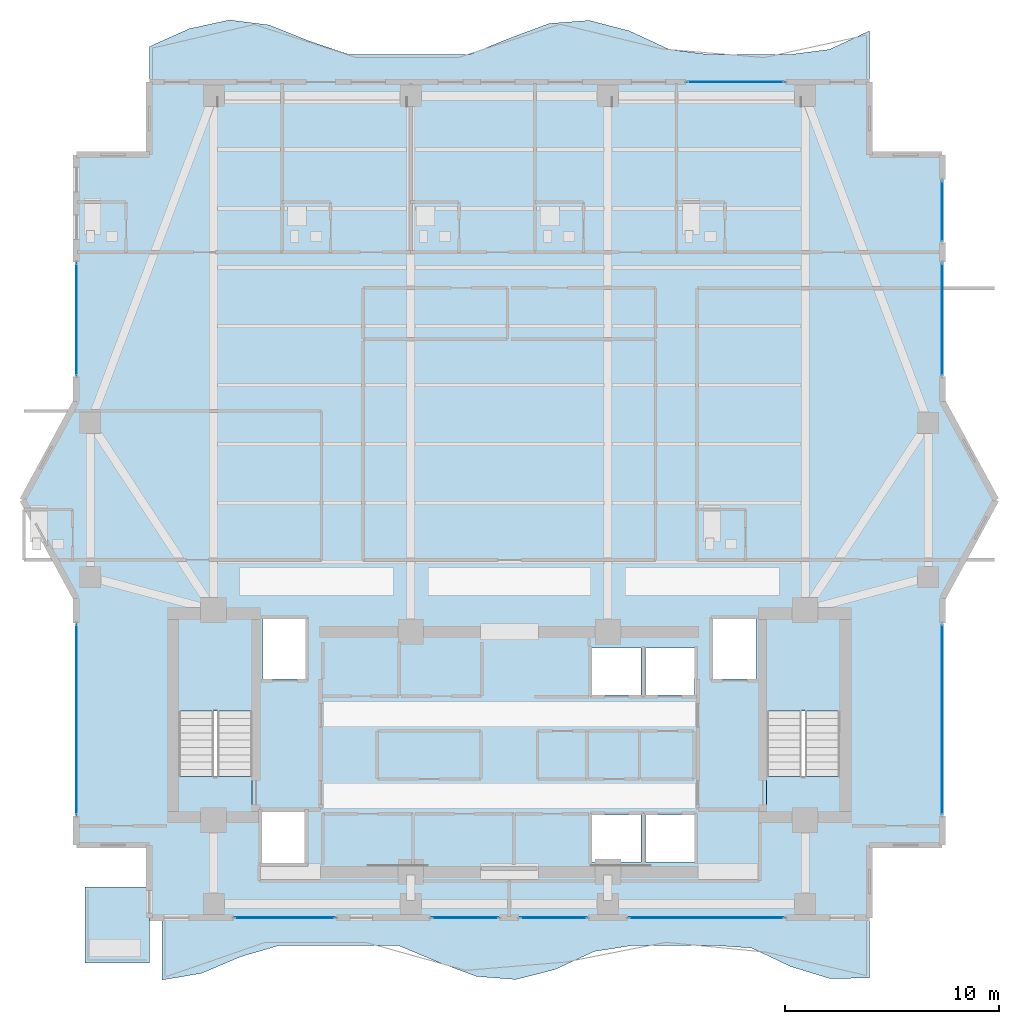
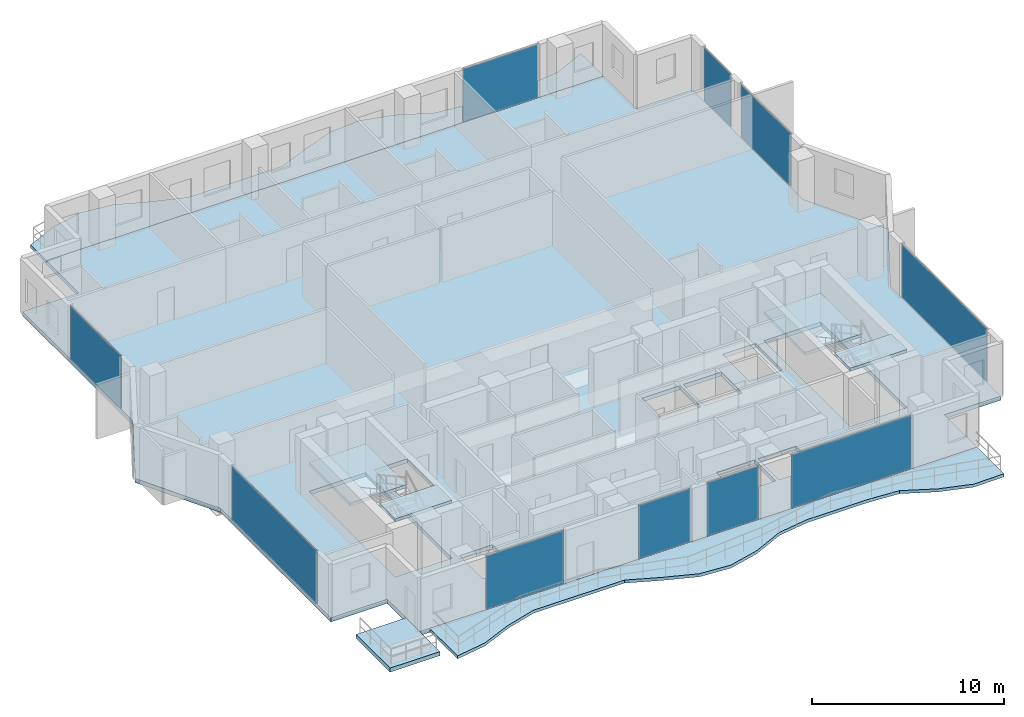
# One storey, part 18 of 28: 10 plates, 8 slabs, 12 elements without a shape of their own.
"""IFC4 building model written with IfcOpenShell, lengths in metres."""

from ifc_helpers import new_model, si_unit, direction, frame, origin, origin_2d, place, context, subcontext, project, spatial, polyline, rectangle, outline, extrude, material, layer, layer_set, type_object, element, aggregate, save


model = new_model("IFC4")

# Units and contexts
model_context = context("Model", 3, precision=1e-05, world=origin(), true_north=direction((0.0, 1.0)))
body_context = subcontext(model_context, "Body", "Model", "MODEL_VIEW")
ifc_project = project(units=[si_unit("LENGTHUNIT", "METRE"), si_unit("AREAUNIT", "SQUARE_METRE"), si_unit("VOLUMEUNIT", "CUBIC_METRE"), si_unit("PLANEANGLEUNIT", "RADIAN"), si_unit("MASSUNIT", "GRAM", prefix="KILO")], contexts=[model_context])

# Site, building, storey
site_placement = place(None, origin())
site = spatial("IfcSite", under=ifc_project, at=site_placement, CompositionType="ELEMENT")
building_placement = place(site_placement, origin())
building = spatial("IfcBuilding", under=site, at=building_placement, Name="Zuhayl Quay Hotel", CompositionType="ELEMENT")
storey_placement = place(building_placement, frame((0.0, 0.0, 239.64990234375)))
storey = spatial("IfcBuildingStorey", under=building, at=storey_placement, Name="L60", CompositionType="ELEMENT", Elevation=239.64990234375)

# Curtain wall, plate
ifc_material_1 = material(Name="Anodised Aluminium 6063-T6", Category="aluminium")
ifc_layer_1 = layer(ifc_material_1, 0.169921875, Name="Anodised Aluminium 6063-T6", Category="aluminium")
ifc_layer_set_1 = layer_set([ifc_layer_1], Name="Anodised Aluminium 6063-T6")
curtain_wall_type = type_object("IfcCurtainWallType", Name="CW_SYS_Z4", PredefinedType="USERDEFINED", material=ifc_layer_set_1)
curtain_wall_1_placement = place(storey_placement, origin())
curtain_wall_1 = element("IfcCurtainWall", 1, at=curtain_wall_1_placement, inside=storey, type_object=curtain_wall_type, Name="L60 Curtain Wall ENV_L60_E02_CW1", ObjectType="UNITISED CURTAIN WALL", PredefinedType="USERDEFINED")
ifc_material_2 = material(Name="Dark Ceramic-Fritted Solar Glass", Category="glass")
ifc_layer_2 = layer(ifc_material_2, 0.035888671875, Name="Dark Ceramic-Fritted Solar Glass", Category="glass")
ifc_layer_set_2 = layer_set([ifc_layer_2], Name="Dark Ceramic-Fritted Solar Glass")
plate_type = type_object("IfcPlateType", Name="PN_DARK_FRIT_Z1", PredefinedType="CURTAIN_PANEL", material=ifc_layer_set_2)
plate_1_placement = place(storey_placement, frame((-20.199951171875, 9.25, 0.054931640625), z_axis=(0.0, 0.0, 1.0), x_axis=(0.0, 1.0, 0.0)))
plate_1 = element("IfcPlate", 2, at=plate_1_placement, type_object=plate_type, Name="CW-Z4 panel 1.1", PredefinedType="CURTAIN_PANEL", context=body_context, shape_type="SweptSolid", body=[
    extrude(rectangle(XDim=8.8701171875, YDim=0.035888671875, at=origin_2d()), origin(), (0.0, 0.0, 1.0), 3.3701171875),
])
aggregate(curtain_wall_1, [plate_1])

curtain_wall_2_placement = place(storey_placement, origin())
curtain_wall_2 = element("IfcCurtainWall", 3, at=curtain_wall_2_placement, inside=storey, type_object=curtain_wall_type, Name="L60 Curtain Wall ENV_L60_E05_CW1", ObjectType="UNITISED CURTAIN WALL", PredefinedType="USERDEFINED")
plate_2_placement = place(storey_placement, frame((-20.199951171875, 27.925048828125, 0.054931640625), z_axis=(0.0, 0.0, 1.0), x_axis=(0.0, 1.0, 0.0)))
plate_2 = element("IfcPlate", 4, at=plate_2_placement, type_object=plate_type, Name="CW-Z4 panel 1.1", PredefinedType="CURTAIN_PANEL", context=body_context, shape_type="SweptSolid", body=[
    extrude(rectangle(XDim=5.219970703125, YDim=0.035888671875, at=origin_2d()), origin(), (0.0, 0.0, 1.0), 3.3701171875),
])
aggregate(curtain_wall_2, [plate_2])

curtain_wall_3_placement = place(storey_placement, origin())
curtain_wall_3 = element("IfcCurtainWall", 5, at=curtain_wall_3_placement, inside=storey, type_object=curtain_wall_type, Name="L60 Curtain Wall ENV_L60_N_CW1", ObjectType="UNITISED CURTAIN WALL", PredefinedType="USERDEFINED")
plate_3_placement = place(storey_placement, frame((10.56494140625, 39.0, 0.054931640625), z_axis=(0.0, 0.0, 1.0), x_axis=(1.0, 0.0, 0.0)))
plate_3 = element("IfcPlate", 6, at=plate_3_placement, type_object=plate_type, Name="CW-Z4 panel 1.1", PredefinedType="CURTAIN_PANEL", context=body_context, shape_type="SweptSolid", body=[
    extrude(rectangle(XDim=4.5, YDim=0.035888671875, at=origin_2d()), origin(), (0.0, 0.0, 1.0), 3.3701171875),
])
aggregate(curtain_wall_3, [plate_3])

curtain_wall_4_placement = place(storey_placement, origin())
curtain_wall_4 = element("IfcCurtainWall", 7, at=curtain_wall_4_placement, inside=storey, type_object=curtain_wall_type, Name="L60 Curtain Wall ENV_L60_E11_CW1", ObjectType="UNITISED CURTAIN WALL", PredefinedType="USERDEFINED")
plate_4_placement = place(storey_placement, frame((20.199951171875, 32.97509765625, 0.054931640625), z_axis=(0.0, 0.0, 1.0), x_axis=(0.0, -1.0, 0.0)))
plate_4 = element("IfcPlate", 8, at=plate_4_placement, type_object=plate_type, Name="CW-Z4 panel 1.1", PredefinedType="CURTAIN_PANEL", context=body_context, shape_type="SweptSolid", body=[
    extrude(rectangle(XDim=2.820068359375, YDim=0.035888671875, at=origin_2d()), origin(), (0.0, 0.0, 1.0), 3.3701171875),
])
aggregate(curtain_wall_4, [plate_4])

curtain_wall_5_placement = place(storey_placement, origin())
curtain_wall_5 = element("IfcCurtainWall", 9, at=curtain_wall_5_placement, inside=storey, type_object=curtain_wall_type, Name="L60 Curtain Wall ENV_L60_E11_CW2", ObjectType="UNITISED CURTAIN WALL", PredefinedType="USERDEFINED")
plate_5_placement = place(storey_placement, frame((20.199951171875, 27.925048828125, 0.054931640625), z_axis=(0.0, 0.0, 1.0), x_axis=(0.0, -1.0, 0.0)))
plate_5 = element("IfcPlate", 10, at=plate_5_placement, type_object=plate_type, Name="CW-Z4 panel 1.1", PredefinedType="CURTAIN_PANEL", context=body_context, shape_type="SweptSolid", body=[
    extrude(rectangle(XDim=5.219970703125, YDim=0.035888671875, at=origin_2d()), origin(), (0.0, 0.0, 1.0), 3.3701171875),
])
aggregate(curtain_wall_5, [plate_5])

curtain_wall_6_placement = place(storey_placement, origin())
curtain_wall_6 = element("IfcCurtainWall", 11, at=curtain_wall_6_placement, inside=storey, type_object=curtain_wall_type, Name="L60 Curtain Wall ENV_L60_E14_CW1", ObjectType="UNITISED CURTAIN WALL", PredefinedType="USERDEFINED")
plate_6_placement = place(storey_placement, frame((20.199951171875, 9.25, 0.054931640625), z_axis=(0.0, 0.0, 1.0), x_axis=(0.0, -1.0, 0.0)))
plate_6 = element("IfcPlate", 12, at=plate_6_placement, type_object=plate_type, Name="CW-Z4 panel 1.1", PredefinedType="CURTAIN_PANEL", context=body_context, shape_type="SweptSolid", body=[
    extrude(rectangle(XDim=8.8701171875, YDim=0.035888671875, at=origin_2d()), origin(), (0.0, 0.0, 1.0), 3.3701171875),
])
aggregate(curtain_wall_6, [plate_6])

curtain_wall_7_placement = place(storey_placement, origin())
curtain_wall_7 = element("IfcCurtainWall", 13, at=curtain_wall_7_placement, inside=storey, type_object=curtain_wall_type, Name="L60 Curtain Wall ENV_L60_S_CW1", ObjectType="UNITISED CURTAIN WALL", PredefinedType="USERDEFINED")
plate_7_placement = place(storey_placement, frame((9.199951171875, 0.0, 0.054931640625), z_axis=(0.0, 0.0, 1.0), x_axis=(-1.0, 0.0, 0.0)))
plate_7 = element("IfcPlate", 14, at=plate_7_placement, type_object=plate_type, Name="CW-Z4 panel 1.1", PredefinedType="CURTAIN_PANEL", context=body_context, shape_type="SweptSolid", body=[
    extrude(rectangle(XDim=7.22998046875, YDim=0.035888671875, at=origin_2d()), origin(), (0.0, 0.0, 1.0), 3.3701171875),
])
aggregate(curtain_wall_7, [plate_7])

curtain_wall_8_placement = place(storey_placement, origin())
curtain_wall_8 = element("IfcCurtainWall", 15, at=curtain_wall_8_placement, inside=storey, type_object=curtain_wall_type, Name="L60 Curtain Wall ENV_L60_S_CW2", ObjectType="UNITISED CURTAIN WALL", PredefinedType="USERDEFINED")
plate_8_placement = place(storey_placement, frame((2.06494140625, 0.0, 0.054931640625), z_axis=(0.0, 0.0, 1.0), x_axis=(-1.0, 0.0, 0.0)))
plate_8 = element("IfcPlate", 16, at=plate_8_placement, type_object=plate_type, Name="CW-Z4 panel 1.1", PredefinedType="CURTAIN_PANEL", context=body_context, shape_type="SweptSolid", body=[
    extrude(rectangle(XDim=3.10009765625, YDim=0.035888671875, at=origin_2d()), origin(), (0.0, 0.0, 1.0), 3.3701171875),
])
aggregate(curtain_wall_8, [plate_8])

curtain_wall_9_placement = place(storey_placement, origin())
curtain_wall_9 = element("IfcCurtainWall", 17, at=curtain_wall_9_placement, inside=storey, type_object=curtain_wall_type, Name="L60 Curtain Wall ENV_L60_S_CW3", ObjectType="UNITISED CURTAIN WALL", PredefinedType="USERDEFINED")
plate_9_placement = place(storey_placement, frame((-2.06494140625, 0.0, 0.054931640625), z_axis=(0.0, 0.0, 1.0), x_axis=(-1.0, 0.0, 0.0)))
plate_9 = element("IfcPlate", 18, at=plate_9_placement, type_object=plate_type, Name="CW-Z4 panel 1.1", PredefinedType="CURTAIN_PANEL", context=body_context, shape_type="SweptSolid", body=[
    extrude(rectangle(XDim=3.10009765625, YDim=0.035888671875, at=origin_2d()), origin(), (0.0, 0.0, 1.0), 3.3701171875),
])
aggregate(curtain_wall_9, [plate_9])

curtain_wall_10_placement = place(storey_placement, origin())
curtain_wall_10 = element("IfcCurtainWall", 19, at=curtain_wall_10_placement, inside=storey, type_object=curtain_wall_type, Name="L60 Curtain Wall ENV_L60_S_CW4", ObjectType="UNITISED CURTAIN WALL", PredefinedType="USERDEFINED")
plate_10_placement = place(storey_placement, frame((-10.4775390625, 0.0, 0.054931640625), z_axis=(0.0, 0.0, 1.0), x_axis=(-1.0, 0.0, 0.0)))
plate_10 = element("IfcPlate", 20, at=plate_10_placement, type_object=plate_type, Name="CW-Z4 panel 1.1", PredefinedType="CURTAIN_PANEL", context=body_context, shape_type="SweptSolid", body=[
    extrude(rectangle(XDim=4.675048828125, YDim=0.035888671875, at=origin_2d()), origin(), (0.0, 0.0, 1.0), 3.3701171875),
])
aggregate(curtain_wall_10, [plate_10])

# Slabs
ifc_material_3 = material(Name="Concrete C45/55", Category="concrete")
ifc_layer_3 = layer(ifc_material_3, 0.195068359375, Name="Concrete C45/55", Category="concrete")
ifc_layer_set_3 = layer_set([ifc_layer_3], Name="Concrete C45/55")
slab_type_1 = type_object("IfcSlabType", Name="SL_BALCONY_195", PredefinedType="FLOOR", material=ifc_layer_set_3)
slab_1_placement = place(storey_placement, frame((0.0, 0.0, -0.19482421875)))
element("IfcSlab", 21, at=slab_1_placement, inside=storey, type_object=slab_type_1, Name="L60 Exterior Rippling Balcony Slab North", PredefinedType="FLOOR", context=body_context, shape_type="SweptSolid", body=[
    extrude(outline(polyline([(-16.800048828125, 39.0), (16.800048828125, 39.0), (16.800048828125, 41.384765625), (14.933349609375, 40.519287109375), (13.066650390625, 40.280029296875), (11.199951171875, 40.280029296875), (9.333251953125, 40.280029296875), (7.466796875, 40.519287109375), (5.60009765625, 41.384765625), (3.7333984375, 41.872802734375), (1.86669921875, 41.732421875), (0.0, 41.036376953125), (-1.86669921875, 40.280029296875), (-3.7333984375, 40.280029296875), (-5.60009765625, 40.280029296875), (-7.466796875, 40.280029296875), (-9.333251953125, 40.909912109375), (-11.199951171875, 41.661376953125), (-13.066650390625, 41.893310546875), (-14.933349609375, 41.486328125), (-16.800048828125, 40.64990234375), (-16.800048828125, 39.0)])), origin(), (0.0, 0.0, 1.0), 0.19482421875),
])
slab_2_placement = place(storey_placement, frame((0.0, 0.0, -0.19482421875)))
element("IfcSlab", 22, at=slab_2_placement, inside=storey, type_object=slab_type_1, Name="L60 Exterior Rippling Balcony Slab South", PredefinedType="FLOOR", context=body_context, shape_type="SweptSolid", body=[
    extrude(outline(polyline([(-16.199951171875, -2.89990234375), (-14.36669921875, -2.58984375), (-12.533203125, -1.813232421875), (-10.699951171875, -1.280029296875), (-8.86669921875, -1.280029296875), (-7.033203125, -1.280029296875), (-5.199951171875, -1.280029296875), (-3.36669921875, -2.0517578125), (-1.533203125, -2.732421875), (0.300048828125, -2.8759765625), (2.13330078125, -2.410888671875), (3.966796875, -1.568115234375), (5.800048828125, -1.280029296875), (7.63330078125, -1.280029296875), (9.466796875, -1.280029296875), (11.300048828125, -1.406005859375), (13.13330078125, -2.27490234375), (14.966796875, -2.833740234375), (16.800048828125, -2.8046875), (16.800048828125, 0.0), (-16.199951171875, 0.0), (-16.199951171875, -2.89990234375)])), origin(), (0.0, 0.0, 1.0), 0.19482421875),
])
ifc_layer_4 = layer(ifc_material_3, 0.260009765625, Name="Concrete C45/55", Category="concrete")
ifc_layer_set_4 = layer_set([ifc_layer_4], Name="Concrete C45/55")
slab_type_2 = type_object("IfcSlabType", Name="SL_FLOOR_260", PredefinedType="FLOOR", material=ifc_layer_set_4)
slab_3_placement = place(storey_placement, frame((0.0, 0.0, -0.260009765625)))
element("IfcSlab", 23, at=slab_3_placement, inside=storey, type_object=slab_type_2, Name="L60 Structural Floor Slab", PredefinedType="FLOOR", context=body_context, shape_type="SweptSolid", body=[
    extrude(outline(polyline([(-16.800048828125, 0.0), (16.800048828125, 0.0), (16.800048828125, 3.39990234375), (20.199951171875, 3.39990234375), (20.199951171875, 14.89990234375), (22.699951171875, 19.5), (20.199951171875, 24.10009765625), (20.199951171875, 35.60009765625), (16.800048828125, 35.60009765625), (16.800048828125, 39.0), (-16.800048828125, 39.0), (-16.800048828125, 35.60009765625), (-20.199951171875, 35.60009765625), (-20.199951171875, 24.10009765625), (-22.699951171875, 19.5), (-20.199951171875, 14.89990234375), (-20.199951171875, 3.39990234375), (-16.800048828125, 3.39990234375), (-16.800048828125, 0.0)]), holes=[polyline([(-12.0, 4.949951171875), (-12.0, 13.949951171875), (-15.429931640625, 13.949951171875), (-15.429931640625, 4.949951171875), (-12.0, 4.949951171875)]), polyline([(15.429931640625, 4.949951171875), (15.429931640625, 13.949951171875), (12.0, 13.949951171875), (12.0, 4.949951171875), (15.429931640625, 4.949951171875)]), polyline([(-11.5, 11.14990234375), (-9.5, 11.14990234375), (-9.5, 13.949951171875), (-11.5, 13.949951171875), (-11.5, 11.14990234375)]), polyline([(9.5, 11.14990234375), (11.5, 11.14990234375), (11.5, 13.949951171875), (9.5, 13.949951171875), (9.5, 11.14990234375)]), polyline([(3.85009765625, 2.60009765625), (6.14990234375, 2.60009765625), (6.14990234375, 4.800048828125), (3.85009765625, 4.800048828125), (3.85009765625, 2.60009765625)]), polyline([(6.35009765625, 2.60009765625), (8.64990234375, 2.60009765625), (8.64990234375, 4.800048828125), (6.35009765625, 4.800048828125), (6.35009765625, 2.60009765625)]), polyline([(3.85009765625, 10.39990234375), (6.14990234375, 10.39990234375), (6.14990234375, 12.60009765625), (3.85009765625, 12.60009765625), (3.85009765625, 10.39990234375)]), polyline([(6.35009765625, 10.39990234375), (8.64990234375, 10.39990234375), (8.64990234375, 12.60009765625), (6.35009765625, 12.60009765625), (6.35009765625, 10.39990234375)]), polyline([(-11.550048828125, 2.550048828125), (-9.550048828125, 2.550048828125), (-9.550048828125, 4.949951171875), (-11.550048828125, 4.949951171875), (-11.550048828125, 2.550048828125)])]), origin(), (0.0, 0.0, 1.0), 0.260009765625),
])

# Stair, slabs
stair_type = type_object("IfcStairType", Name="ST_DOGLEG_TOWER", PredefinedType="HALF_TURN_STAIR", material=ifc_material_3)
stair_1_placement = place(storey_placement, origin())
stair_1 = element("IfcStair", 24, at=stair_1_placement, inside=storey, type_object=stair_type, Name="L60 Smokeproof Exit Stair ST1", PredefinedType="HALF_TURN_STAIR")
ifc_layer_5 = layer(ifc_material_3, 0.199951171875, Name="Concrete C45/55", Category="concrete")
ifc_layer_set_5 = layer_set([ifc_layer_5], Name="Concrete C45/55")
slab_type_3 = type_object("IfcSlabType", Name="SL_STAIR_LANDING_200", PredefinedType="LANDING", material=ifc_layer_set_5)
slab_4_placement = place(storey_placement, frame((0.0, 0.0, 1.650146484375)))
slab_4 = element("IfcSlab", 25, at=slab_4_placement, type_object=slab_type_3, Name="ST1 landing 1", PredefinedType="LANDING", context=body_context, shape_type="SweptSolid", body=[
    extrude(outline(polyline([(-12.0, 9.64990234375), (-12.0, 13.949951171875), (-15.429931640625, 13.949951171875), (-15.429931640625, 9.64990234375), (-12.0, 9.64990234375)])), origin(), (0.0, 0.0, 1.0), 0.199951171875),
])
slab_5_placement = place(storey_placement, frame((0.0, 0.0, 3.5)))
slab_5 = element("IfcSlab", 26, at=slab_5_placement, type_object=slab_type_3, Name="ST1 landing 2", PredefinedType="LANDING", context=body_context, shape_type="SweptSolid", body=[
    extrude(outline(polyline([(-12.0, 4.949951171875), (-12.0, 6.590087890625), (-15.429931640625, 6.590087890625), (-15.429931640625, 4.949951171875), (-12.0, 4.949951171875)])), origin(), (0.0, 0.0, 1.0), 0.2001953125),
])
aggregate(stair_1, [slab_4, slab_5])

stair_2_placement = place(storey_placement, origin())
stair_2 = element("IfcStair", 27, at=stair_2_placement, inside=storey, type_object=stair_type, Name="L60 Smokeproof Exit Stair ST2", PredefinedType="HALF_TURN_STAIR")
slab_6_placement = place(storey_placement, frame((0.0, 0.0, 1.650146484375)))
slab_6 = element("IfcSlab", 28, at=slab_6_placement, type_object=slab_type_3, Name="ST2 landing 1", PredefinedType="LANDING", context=body_context, shape_type="SweptSolid", body=[
    extrude(outline(polyline([(15.429931640625, 9.64990234375), (15.429931640625, 13.949951171875), (12.0, 13.949951171875), (12.0, 9.64990234375), (15.429931640625, 9.64990234375)])), origin(), (0.0, 0.0, 1.0), 0.199951171875),
])
slab_7_placement = place(storey_placement, frame((0.0, 0.0, 3.5)))
slab_7 = element("IfcSlab", 29, at=slab_7_placement, type_object=slab_type_3, Name="ST2 landing 2", PredefinedType="LANDING", context=body_context, shape_type="SweptSolid", body=[
    extrude(outline(polyline([(15.429931640625, 4.949951171875), (15.429931640625, 6.590087890625), (12.0, 6.590087890625), (12.0, 4.949951171875), (15.429931640625, 4.949951171875)])), origin(), (0.0, 0.0, 1.0), 0.2001953125),
])
aggregate(stair_2, [slab_6, slab_7])

# Slab
ifc_layer_6 = layer(ifc_material_3, 0.219970703125, Name="Concrete C45/55", Category="concrete")
ifc_layer_set_6 = layer_set([ifc_layer_6], Name="Concrete C45/55")
slab_type_4 = type_object("IfcSlabType", Name="SL_TERRACE_235", PredefinedType="FLOOR", material=ifc_layer_set_6)
slab_8_placement = place(storey_placement, frame((0.0, 0.0, -0.260009765625)))
element("IfcSlab", 30, at=slab_8_placement, inside=storey, type_object=slab_type_4, Name="L60 Exterior Sky-Terrace Slab L60_SPIRAL_SW", PredefinedType="FLOOR", context=body_context, shape_type="SweptSolid", body=[
    extrude(outline(polyline([(-19.800048828125, -2.10009765625), (-16.800048828125, -2.10009765625), (-16.800048828125, 1.449951171875), (-19.800048828125, 1.449951171875), (-19.800048828125, -2.10009765625)])), origin(), (0.0, 0.0, 1.0), 0.260009765625),
])

save(model, "model.ifc")
